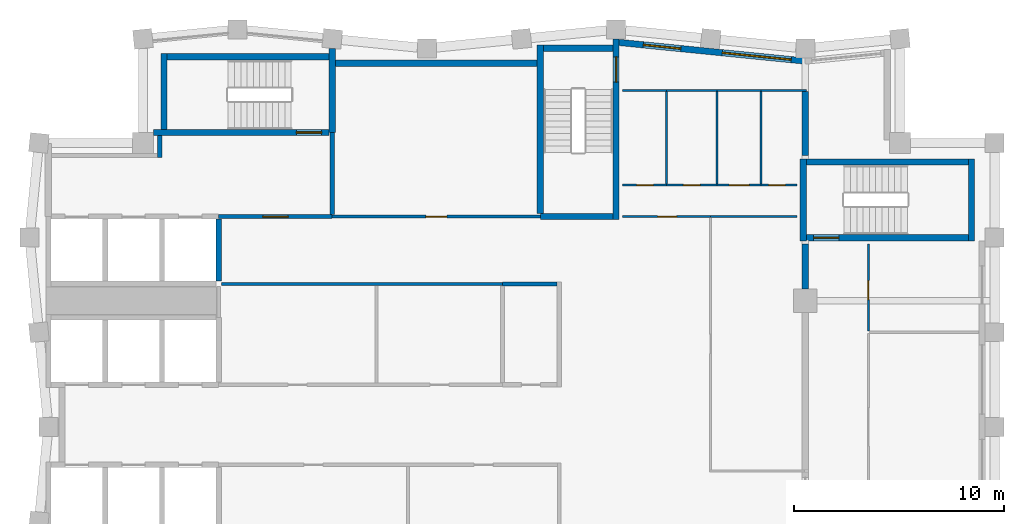
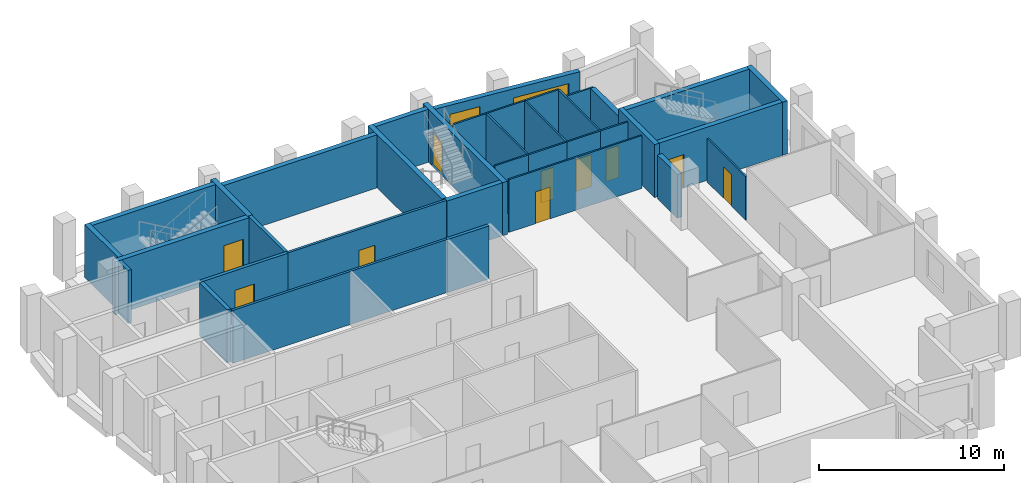
# One storey, part 5 of 7: 37 walls, 11 doors, 2 windows, 13 openings.
"""IFC4 building model written with IfcOpenShell, lengths in metres."""

from ifc_helpers import new_model, si_unit, direction, frame, frame_2d, origin, place, context, subcontext, project, spatial, rectangle, extrude, material, layer, layer_set, type_object, element, fill, save


model = new_model("IFC4")

# Units and contexts
model_context = context("Model", 3, precision=1e-05, world=origin(), true_north=direction((0.0, 1.0)))
body_context = subcontext(model_context, "Body", "Model", "MODEL_VIEW")
ifc_project = project(units=[si_unit("LENGTHUNIT", "METRE"), si_unit("AREAUNIT", "SQUARE_METRE"), si_unit("VOLUMEUNIT", "CUBIC_METRE"), si_unit("PLANEANGLEUNIT", "RADIAN"), si_unit("MASSUNIT", "GRAM", prefix="KILO")], contexts=[model_context])

# Site, building, storey
site_placement = place(None, origin())
site = spatial("IfcSite", under=ifc_project, at=site_placement, CompositionType="ELEMENT")
building_placement = place(site_placement, origin())
building = spatial("IfcBuilding", under=site, at=building_placement, Name="Brondeck Convention Tower", CompositionType="ELEMENT")
storey_placement = place(building_placement, frame((0.0, 0.0, 260.0)))
storey = spatial("IfcBuildingStorey", under=building, at=storey_placement, Name="L64", CompositionType="ELEMENT", Elevation=260.0)

# Walls
ifc_material_1 = material(Name="Concrete compartment wall C30/37", Category="concrete")
ifc_layer_1 = layer(ifc_material_1, 0.300048828125)
ifc_layer_set_1 = layer_set([ifc_layer_1], Name="Compartment wall 300")
wall_type_1 = type_object("IfcWallType", Name="Compartment wall 300", PredefinedType="PARTITIONING", material=ifc_layer_set_1)
wall_1_placement = place(storey_placement, frame((36.0, 51.554931640625, 0.0), z_axis=(0.0, 0.0, 1.0), x_axis=(0.0, 1.0, 0.0)))
element("IfcWall", 1, at=wall_1_placement, inside=storey, type_object=wall_type_1, Name="FLR-L64-W040", PredefinedType="PARTITIONING", context=body_context, shape_type="SweptSolid", body=[
    extrude(rectangle(XDim=2.14501953125, YDim=0.300048828125, at=frame_2d((1.072509765625, 0.0))), origin(), (0.0, 0.0, 1.0), 2.8798828125),
])
wall_2_placement = place(storey_placement, frame((36.0, 60.949951171875, 0.0), z_axis=(0.0, 0.0, 1.0), x_axis=(0.0, -1.0, 0.0)))
element("IfcWall", 2, at=wall_2_placement, inside=storey, type_object=wall_type_1, Name="FLR-L64-W052", PredefinedType="PARTITIONING", context=body_context, shape_type="SweptSolid", body=[
    extrude(rectangle(XDim=3.050048828125, YDim=0.300048828125, at=frame_2d((1.52490234375, 0.0))), origin(), (0.0, 0.0, 1.0), 2.8798828125),
])
ifc_material_2 = material(Name="Concrete C50/60", Category="concrete")
ifc_layer_2 = layer(ifc_material_2, 0.300048828125)
ifc_layer_set_2 = layer_set([ifc_layer_2], Name="Core outer wall 300 Concrete C50/60")
wall_type_2 = type_object("IfcWallType", Name="Core outer wall 300 Concrete C50/60", PredefinedType="SHEAR", material=ifc_layer_set_2)
wall_3_placement = place(storey_placement, frame((13.64990234375, 62.300048828125, 0.0), z_axis=(0.0, 0.0, 1.0), x_axis=(1.0, 0.0, 0.0)))
element("IfcWall", 3, at=wall_3_placement, inside=storey, type_object=wall_type_2, Name="L64 core wall", PredefinedType="SHEAR", context=body_context, shape_type="SweptSolid", body=[
    extrude(rectangle(XDim=9.60009765625, YDim=0.300048828125, at=frame_2d((4.800048828125, 0.0))), origin(), (0.0, 0.0, 1.0), 3.5),
])
ifc_material_3 = material(Name="Fire-rated gypsum board partition")
ifc_layer_3 = layer(ifc_material_3, 0.14990234375)
ifc_layer_set_3 = layer_set([ifc_layer_3], Name="Core partition 150 EI 60")
wall_type_3 = type_object("IfcWallType", Name="Core partition 150 EI 60", PredefinedType="PARTITIONING", material=ifc_layer_set_3)
wall_4_placement = place(storey_placement, frame((8.22509765625, 51.800048828125, 0.0), z_axis=(0.0, 0.0, 1.0), x_axis=(1.0, 0.0, 0.0)))
element("IfcWall", 4, at=wall_4_placement, inside=storey, type_object=wall_type_3, Name="L64 core wall", PredefinedType="PARTITIONING", context=body_context, shape_type="SweptSolid", body=[
    extrude(rectangle(XDim=13.375, YDim=0.14990234375, at=frame_2d((6.6875, 0.0))), origin(), (0.0, 0.0, 1.0), 3.5),
])

# Wall, opening, door
wall_5_placement = place(storey_placement, frame((13.5, 55.0, 0.0), z_axis=(0.0, 0.0, 1.0), x_axis=(1.0, 0.0, 0.0)))
wall_5 = element("IfcWall", 5, at=wall_5_placement, inside=storey, type_object=wall_type_3, Name="L64 core wall", PredefinedType="PARTITIONING", context=body_context, shape_type="SweptSolid", body=[
    extrude(rectangle(XDim=9.89990234375, YDim=0.14990234375, at=frame_2d((4.949951171875, 0.0))), origin(), (0.0, 0.0, 1.0), 3.5),
])
opening_1_placement = place(wall_5_placement, frame((4.449951171875, 0.0, 0.0)))
opening_1 = element("IfcOpeningElement", 6, at=opening_1_placement, cuts=wall_5, Name="Opening C36-11", PredefinedType="OPENING", context=body_context, shape_type="SweptSolid", body=[
    extrude(rectangle(XDim=1.0, YDim=2.10009765625, at=frame_2d((0.5, 1.050048828125))), frame((0.0, 0.0849609375, 0.0), z_axis=(0.0, -1.0, 0.0), x_axis=(1.0, 0.0, 0.0)), (0.0, 0.0, 1.0), 0.169921875),
])
ifc_material_4 = material(Name="Steel fire door", Category="steel")
door_type_1 = type_object("IfcDoorType", Name="Room door 1000x2100 EI 60", OperationType="NOTDEFINED", PredefinedType="DOOR", material=ifc_material_4)
door_1_placement = place(opening_1_placement, origin())
door_1 = element("IfcDoor", 7, at=door_1_placement, inside=storey, type_object=door_type_1, Name="L64 Room door NE-1", OperationType="SINGLE_SWING_LEFT", OverallHeight=2.10009765625, OverallWidth=1.0, PredefinedType="DOOR", context=body_context, shape_type="SweptSolid", body=[
    extrude(rectangle(XDim=1.0, YDim=2.10009765625, at=frame_2d((0.5, 1.050048828125))), frame((0.0, 0.02490234375, 0.0), z_axis=(0.0, -1.0, 0.0), x_axis=(1.0, 0.0, 0.0)), (0.0, 0.0, 1.0), 0.050048828125),
])
fill(opening_1, door_1)

# Wall, openings, windows
ifc_material_5 = material(Name="Precast concrete C50/60 bronze finish", Category="concrete")
ifc_layer_4 = layer(ifc_material_5, 0.070068359375, Name="Bronze precast facing")
ifc_material_6 = material(Name="Mineral wool")
ifc_layer_5 = layer(ifc_material_6, 0.159912109375, Name="Insulation")
ifc_material_7 = material(Name="Concrete C35/45", Category="concrete")
ifc_layer_6 = layer(ifc_material_7, 0.070068359375, Name="Backing")
ifc_layer_set_4 = layer_set([ifc_layer_4, ifc_layer_5, ifc_layer_6], Name="External infill wall, precast concrete C50/60 bronze facing")
wall_type_4 = type_object("IfcWallType", Name="External infill wall, precast concrete C50/60 bronze facing", PredefinedType="SOLIDWALL", material=ifc_layer_set_4)
wall_6_placement = place(storey_placement, frame((27.089599609375, 63.2880859375, 0.0), z_axis=(0.0, 0.0, 1.0), x_axis=(0.995035835913, -0.09951726106, 0.0)))
wall_6 = element("IfcWall", 8, at=wall_6_placement, inside=storey, type_object=wall_type_4, Name="ENV-EW-L64-P3-A-N-07", PredefinedType="SOLIDWALL", context=body_context, shape_type="SweptSolid", body=[
    extrude(rectangle(XDim=8.9248046875, YDim=0.300048828125, at=frame_2d((4.46240234375, 0.0))), origin(), (0.0, 0.0, 1.0), 3.14990234375),
])
opening_2_placement = place(wall_6_placement, frame((1.211181640625, 0.0, 0.75)))
opening_2 = element("IfcOpeningElement", 9, at=opening_2_placement, cuts=wall_6, Name="Opening W10", PredefinedType="OPENING", context=body_context, shape_type="SweptSolid", body=[
    extrude(rectangle(XDim=1.800048828125, YDim=1.800048828125, at=frame_2d((0.89990234375, 0.89990234375))), frame((0.0, 0.159912109375, 0.0), z_axis=(0.0, -1.0, 0.0), x_axis=(1.0, 0.0, 0.0)), (0.0, 0.0, 1.0), 0.320068359375),
])
opening_3_placement = place(wall_6_placement, frame((4.983642578125, 0.0, 0.14990234375)))
opening_3 = element("IfcOpeningElement", 10, at=opening_3_placement, cuts=wall_6, Name="Opening W9", PredefinedType="OPENING", context=body_context, shape_type="SweptSolid", body=[
    extrude(rectangle(XDim=3.300048828125, YDim=2.39990234375, at=frame_2d((1.64990234375, 1.199951171875))), frame((0.0, 0.159912109375, 0.0), z_axis=(0.0, -1.0, 0.0), x_axis=(1.0, 0.0, 0.0)), (0.0, 0.0, 1.0), 0.320068359375),
])
ifc_material_8 = material(Name="Bronze tinted double glazing", Category="glass")
window_type_1 = type_object("IfcWindowType", Name="Glazed flute window, bronze tinted", PartitioningType="SINGLE_PANEL", PredefinedType="WINDOW", material=ifc_material_8)
window_1_placement = place(opening_3_placement, origin())
window_1 = element("IfcWindow", 11, at=window_1_placement, inside=storey, type_object=window_type_1, Name="ENV-WN-L64-P3-A-N-07", OverallHeight=2.39990234375, OverallWidth=3.300048828125, PartitioningType="SINGLE_PANEL", PredefinedType="WINDOW", context=body_context, shape_type="SweptSolid", body=[
    extrude(rectangle(XDim=3.300048828125, YDim=2.39990234375, at=frame_2d((1.64990234375, 1.199951171875))), frame((0.0, 0.030029296875, 0.0), z_axis=(0.0, -1.0, 0.0), x_axis=(1.0, 0.0, 0.0)), (0.0, 0.0, 1.0), 0.06005859375),
])
fill(opening_3, window_1)
window_type_2 = type_object("IfcWindowType", Name="Punched window, bronze tinted", PartitioningType="SINGLE_PANEL", PredefinedType="WINDOW", material=ifc_material_8)
window_2_placement = place(opening_2_placement, origin())
window_2 = element("IfcWindow", 12, at=window_2_placement, inside=storey, type_object=window_type_2, Name="ENV-WN-L64-P3-A-N-06", OverallHeight=1.800048828125, OverallWidth=1.800048828125, PartitioningType="SINGLE_PANEL", PredefinedType="WINDOW", context=body_context, shape_type="SweptSolid", body=[
    extrude(rectangle(XDim=1.800048828125, YDim=1.800048828125, at=frame_2d((0.89990234375, 0.89990234375))), frame((0.0, 0.030029296875, 0.0), z_axis=(0.0, -1.0, 0.0), x_axis=(1.0, 0.0, 0.0)), (0.0, 0.0, 1.0), 0.06005859375),
])
fill(opening_2, window_2)

# Wall, opening, door
ifc_layer_7 = layer(ifc_material_3, 0.199951171875)
ifc_layer_set_5 = layer_set([ifc_layer_7], Name="Firefighting lobby wall 200 EI 120")
wall_type_5 = type_object("IfcWallType", Name="Firefighting lobby wall 200 EI 120", PredefinedType="PARTITIONING", material=ifc_layer_set_5)
wall_7_placement = place(storey_placement, frame((8.10009765625, 55.0, 0.0), z_axis=(0.0, 0.0, 1.0), x_axis=(1.0, 0.0, 0.0)))
wall_7 = element("IfcWall", 13, at=wall_7_placement, inside=storey, type_object=wall_type_5, Name="L64 core wall", PredefinedType="PARTITIONING", context=body_context, shape_type="SweptSolid", body=[
    extrude(rectangle(XDim=5.39990234375, YDim=0.199951171875, at=frame_2d((2.699951171875, 0.0))), origin(), (0.0, 0.0, 1.0), 3.5),
])
opening_4_placement = place(wall_7_placement, frame((2.10009765625, 0.0, 0.0)))
opening_4 = element("IfcOpeningElement", 14, at=opening_4_placement, cuts=wall_7, Name="Opening C36-01", PredefinedType="OPENING", context=body_context, shape_type="SweptSolid", body=[
    extrude(rectangle(XDim=1.199951171875, YDim=2.199951171875, at=frame_2d((0.60009765625, 1.10009765625))), frame((0.0, 0.10986328125, 0.0), z_axis=(0.0, -1.0, 0.0), x_axis=(1.0, 0.0, 0.0)), (0.0, 0.0, 1.0), 0.219970703125),
])
door_type_2 = type_object("IfcDoorType", Name="Firefighting lobby door 1200x2200 EI 120", OperationType="NOTDEFINED", PredefinedType="DOOR", material=ifc_material_4)
door_2_placement = place(opening_4_placement, origin())
door_2 = element("IfcDoor", 15, at=door_2_placement, inside=storey, type_object=door_type_2, Name="L64 Firefighting lobby door FFL-1", OperationType="SINGLE_SWING_RIGHT", OverallHeight=2.199951171875, OverallWidth=1.199951171875, PredefinedType="DOOR", context=body_context, shape_type="SweptSolid", body=[
    extrude(rectangle(XDim=1.199951171875, YDim=2.199951171875, at=frame_2d((0.60009765625, 1.10009765625))), frame((0.0, 0.02490234375, 0.0), z_axis=(0.0, -1.0, 0.0), x_axis=(1.0, 0.0, 0.0)), (0.0, 0.0, 1.0), 0.050048828125),
])
fill(opening_4, door_2)

# Walls
wall_8_placement = place(storey_placement, frame((5.300048828125, 57.800048828125, 0.0), z_axis=(0.0, 0.0, 1.0), x_axis=(0.0, 1.0, 0.0)))
element("IfcWall", 16, at=wall_8_placement, inside=storey, type_object=wall_type_5, Name="L64 core wall", PredefinedType="PARTITIONING", context=body_context, shape_type="SweptSolid", body=[
    extrude(rectangle(XDim=1.050048828125, YDim=0.199951171875, at=frame_2d((0.52490234375, 0.0))), origin(), (0.0, 0.0, 1.0), 3.5),
])
wall_9_placement = place(storey_placement, frame((13.5, 55.10009765625, 0.0), z_axis=(0.0, 0.0, 1.0), x_axis=(0.0, 1.0, 0.0)))
element("IfcWall", 17, at=wall_9_placement, inside=storey, type_object=wall_type_5, Name="L64 core wall", PredefinedType="PARTITIONING", context=body_context, shape_type="SweptSolid", body=[
    extrude(rectangle(XDim=3.89990234375, YDim=0.199951171875, at=frame_2d((1.949951171875, 0.0))), origin(), (0.0, 0.0, 1.0), 3.5),
])
ifc_layer_8 = layer(ifc_material_2, 0.25)
ifc_layer_set_6 = layer_set([ifc_layer_8], Name="Lift shaft wall 250 Concrete C50/60")
wall_type_6 = type_object("IfcWallType", Name="Lift shaft wall 250 Concrete C50/60", PredefinedType="SHEAR", material=ifc_layer_set_6)
wall_10_placement = place(storey_placement, frame((8.10009765625, 51.925048828125, 0.0), z_axis=(0.0, 0.0, 1.0), x_axis=(0.0, 1.0, 0.0)))
element("IfcWall", 18, at=wall_10_placement, inside=storey, type_object=wall_type_6, Name="L64 core wall", PredefinedType="SHEAR", context=body_context, shape_type="SweptSolid", body=[
    extrude(rectangle(XDim=2.949951171875, YDim=0.25, at=frame_2d((1.47509765625, 0.0))), origin(), (0.0, 0.0, 1.0), 3.5),
])
ifc_layer_9 = layer(ifc_material_3, 0.199951171875)
ifc_layer_set_7 = layer_set([ifc_layer_9], Name="Riser wall 200 EI 120")
wall_type_7 = type_object("IfcWallType", Name="Riser wall 200 EI 120", PredefinedType="PARTITIONING", material=ifc_layer_set_7)
wall_11_placement = place(storey_placement, frame((21.60009765625, 51.800048828125, 0.0), z_axis=(0.0, 0.0, 1.0), x_axis=(1.0, 0.0, 0.0)))
element("IfcWall", 19, at=wall_11_placement, inside=storey, type_object=wall_type_7, Name="L64 core wall", PredefinedType="PARTITIONING", context=body_context, shape_type="SweptSolid", body=[
    extrude(rectangle(XDim=2.599853515625, YDim=0.199951171875, at=frame_2d((1.2998046875, 0.0))), origin(), (0.0, 0.0, 1.0), 3.5),
])

# Wall, opening, door
ifc_material_9 = material(Name="Gypsum board partition on steel studs", Category="steel")
ifc_layer_10 = layer(ifc_material_9, 0.10009765625)
ifc_layer_set_8 = layer_set([ifc_layer_10], Name="Room partition 100")
wall_type_8 = type_object("IfcWallType", Name="Room partition 100", PredefinedType="PARTITIONING", material=ifc_layer_set_8)
wall_12_placement = place(storey_placement, frame((39.0, 53.699951171875, 0.0), z_axis=(0.0, 0.0, 1.0), x_axis=(0.0, -1.0, 0.0)))
wall_12 = element("IfcWall", 20, at=wall_12_placement, inside=storey, type_object=wall_type_8, Name="FLR-L64-W041", PredefinedType="PARTITIONING", context=body_context, shape_type="SweptSolid", body=[
    extrude(rectangle(XDim=4.14990234375, YDim=0.10009765625, at=frame_2d((2.074951171875, 0.0))), origin(), (0.0, 0.0, 1.0), 2.8798828125),
])
opening_5_placement = place(wall_12_placement, frame((1.75, 0.0, 0.0)))
opening_5 = element("IfcOpeningElement", 21, at=opening_5_placement, cuts=wall_12, Name="Opening EX-B-002", PredefinedType="OPENING", context=body_context, shape_type="SweptSolid", body=[
    extrude(rectangle(XDim=0.89990234375, YDim=2.10009765625, at=frame_2d((0.449951171875, 1.050048828125))), frame((0.0, 0.06005859375, 0.0), z_axis=(0.0, -1.0, 0.0), x_axis=(1.0, 0.0, 0.0)), (0.0, 0.0, 1.0), 0.1201171875),
])
ifc_material_10 = material(Name="Solid timber door leaf", Category="wood")
door_type_3 = type_object("IfcDoorType", Name="Single door 900", OperationType="NOTDEFINED", PredefinedType="DOOR", material=ifc_material_10)
door_3_placement = place(opening_5_placement, origin())
door_3 = element("IfcDoor", 22, at=door_3_placement, inside=storey, type_object=door_type_3, Name="Door EX-B-002", OperationType="SINGLE_SWING_LEFT", OverallHeight=2.10009765625, OverallWidth=0.89990234375, PredefinedType="DOOR", context=body_context, shape_type="SweptSolid", body=[
    extrude(rectangle(XDim=0.89990234375, YDim=2.10009765625, at=frame_2d((0.449951171875, 1.050048828125))), frame((0.0, 0.02490234375, 0.0), z_axis=(0.0, -1.0, 0.0), x_axis=(1.0, 0.0, 0.0)), (0.0, 0.0, 1.0), 0.050048828125),
])
fill(opening_5, door_3)

wall_13_placement = place(storey_placement, frame((27.300048828125, 55.0, 0.0), z_axis=(0.0, 0.0, 1.0), x_axis=(1.0, 0.0, 0.0)))
wall_13 = element("IfcWall", 23, at=wall_13_placement, inside=storey, type_object=wall_type_8, Name="FLR-L64-W043", PredefinedType="PARTITIONING", context=body_context, shape_type="SweptSolid", body=[
    extrude(rectangle(XDim=4.199951171875, YDim=0.10009765625, at=frame_2d((2.10009765625, 0.0))), origin(), (0.0, 0.0, 1.0), 3.47998046875),
])
opening_6_placement = place(wall_13_placement, frame((1.675048828125, 0.0, 0.0)))
opening_6 = element("IfcOpeningElement", 24, at=opening_6_placement, cuts=wall_13, Name="Opening EX-B-007", PredefinedType="OPENING", context=body_context, shape_type="SweptSolid", body=[
    extrude(rectangle(XDim=0.89990234375, YDim=2.10009765625, at=frame_2d((0.449951171875, 1.050048828125))), frame((0.0, 0.06005859375, 0.0), z_axis=(0.0, -1.0, 0.0), x_axis=(1.0, 0.0, 0.0)), (0.0, 0.0, 1.0), 0.1201171875),
])
door_4_placement = place(opening_6_placement, origin())
door_4 = element("IfcDoor", 25, at=door_4_placement, inside=storey, type_object=door_type_3, Name="Door EX-B-007", OperationType="SINGLE_SWING_LEFT", OverallHeight=2.10009765625, OverallWidth=0.89990234375, PredefinedType="DOOR", context=body_context, shape_type="SweptSolid", body=[
    extrude(rectangle(XDim=0.89990234375, YDim=2.10009765625, at=frame_2d((0.449951171875, 1.050048828125))), frame((0.0, 0.02490234375, 0.0), z_axis=(0.0, -1.0, 0.0), x_axis=(1.0, 0.0, 0.0)), (0.0, 0.0, 1.0), 0.050048828125),
])
fill(opening_6, door_4)

# Wall
wall_14_placement = place(storey_placement, frame((35.60009765625, 55.0, 0.0), z_axis=(0.0, 0.0, 1.0), x_axis=(-1.0, 0.0, 0.0)))
element("IfcWall", 26, at=wall_14_placement, inside=storey, type_object=wall_type_8, Name="FLR-L64-W044", PredefinedType="PARTITIONING", context=body_context, shape_type="SweptSolid", body=[
    extrude(rectangle(XDim=4.10009765625, YDim=0.10009765625, at=frame_2d((2.050048828125, 0.0))), origin(), (0.0, 0.0, 1.0), 3.47998046875),
])

# Wall, opening, door
wall_15_placement = place(storey_placement, frame((27.300048828125, 56.5, 0.0), z_axis=(0.0, 0.0, 1.0), x_axis=(1.0, 0.0, 0.0)))
wall_15 = element("IfcWall", 27, at=wall_15_placement, inside=storey, type_object=wall_type_8, Name="FLR-L64-W045", PredefinedType="PARTITIONING", context=body_context, shape_type="SweptSolid", body=[
    extrude(rectangle(XDim=2.099853515625, YDim=0.10009765625, at=frame_2d((1.0498046875, 0.0))), origin(), (0.0, 0.0, 1.0), 3.47998046875),
])
opening_7_placement = place(wall_15_placement, frame((0.675048828125, 0.0, 0.0)))
opening_7 = element("IfcOpeningElement", 28, at=opening_7_placement, cuts=wall_15, Name="Opening EX-B-008", PredefinedType="OPENING", context=body_context, shape_type="SweptSolid", body=[
    extrude(rectangle(XDim=0.800048828125, YDim=2.10009765625, at=frame_2d((0.39990234375, 1.050048828125))), frame((0.0, 0.06005859375, 0.0), z_axis=(0.0, -1.0, 0.0), x_axis=(1.0, 0.0, 0.0)), (0.0, 0.0, 1.0), 0.1201171875),
])
door_type_4 = type_object("IfcDoorType", Name="En-suite door 800", OperationType="NOTDEFINED", PredefinedType="DOOR", material=ifc_material_10)
door_5_placement = place(opening_7_placement, origin())
door_5 = element("IfcDoor", 29, at=door_5_placement, inside=storey, type_object=door_type_4, Name="Door EX-B-008", OperationType="SINGLE_SWING_LEFT", OverallHeight=2.10009765625, OverallWidth=0.800048828125, PredefinedType="DOOR", context=body_context, shape_type="SweptSolid", body=[
    extrude(rectangle(XDim=0.800048828125, YDim=2.10009765625, at=frame_2d((0.39990234375, 1.050048828125))), frame((0.0, 0.02490234375, 0.0), z_axis=(0.0, -1.0, 0.0), x_axis=(1.0, 0.0, 0.0)), (0.0, 0.0, 1.0), 0.050048828125),
])
fill(opening_7, door_5)

wall_16_placement = place(storey_placement, frame((29.39990234375, 56.5, 0.0), z_axis=(0.0, 0.0, 1.0), x_axis=(1.0, 0.0, 0.0)))
wall_16 = element("IfcWall", 30, at=wall_16_placement, inside=storey, type_object=wall_type_8, Name="FLR-L64-W046", PredefinedType="PARTITIONING", context=body_context, shape_type="SweptSolid", body=[
    extrude(rectangle(XDim=2.400146484375, YDim=0.10009765625, at=frame_2d((1.2001953125, 0.0))), origin(), (0.0, 0.0, 1.0), 3.47998046875),
])
opening_8_placement = place(wall_16_placement, frame((0.800048828125, 0.0, 0.0)))
opening_8 = element("IfcOpeningElement", 31, at=opening_8_placement, cuts=wall_16, Name="Opening EX-B-009", PredefinedType="OPENING", context=body_context, shape_type="SweptSolid", body=[
    extrude(rectangle(XDim=0.800048828125, YDim=2.10009765625, at=frame_2d((0.39990234375, 1.050048828125))), frame((0.0, 0.06005859375, 0.0), z_axis=(0.0, -1.0, 0.0), x_axis=(1.0, 0.0, 0.0)), (0.0, 0.0, 1.0), 0.1201171875),
])
door_6_placement = place(opening_8_placement, origin())
door_6 = element("IfcDoor", 32, at=door_6_placement, inside=storey, type_object=door_type_4, Name="Door EX-B-009", OperationType="SINGLE_SWING_RIGHT", OverallHeight=2.10009765625, OverallWidth=0.800048828125, PredefinedType="DOOR", context=body_context, shape_type="SweptSolid", body=[
    extrude(rectangle(XDim=0.800048828125, YDim=2.10009765625, at=frame_2d((0.39990234375, 1.050048828125))), frame((0.0, 0.02490234375, 0.0), z_axis=(0.0, -1.0, 0.0), x_axis=(1.0, 0.0, 0.0)), (0.0, 0.0, 1.0), 0.050048828125),
])
fill(opening_8, door_6)

wall_17_placement = place(storey_placement, frame((31.800048828125, 56.5, 0.0), z_axis=(0.0, 0.0, 1.0), x_axis=(1.0, 0.0, 0.0)))
wall_17 = element("IfcWall", 33, at=wall_17_placement, inside=storey, type_object=wall_type_8, Name="FLR-L64-W047", PredefinedType="PARTITIONING", context=body_context, shape_type="SweptSolid", body=[
    extrude(rectangle(XDim=2.099853515625, YDim=0.10009765625, at=frame_2d((1.0498046875, 0.0))), origin(), (0.0, 0.0, 1.0), 3.47998046875),
])
opening_9_placement = place(wall_17_placement, frame((0.574951171875, 0.0, 0.0)))
opening_9 = element("IfcOpeningElement", 34, at=opening_9_placement, cuts=wall_17, Name="Opening EX-B-010", PredefinedType="OPENING", context=body_context, shape_type="SweptSolid", body=[
    extrude(rectangle(XDim=0.949951171875, YDim=2.10009765625, at=frame_2d((0.47509765625, 1.050048828125))), frame((0.0, 0.06005859375, 0.0), z_axis=(0.0, -1.0, 0.0), x_axis=(1.0, 0.0, 0.0)), (0.0, 0.0, 1.0), 0.1201171875),
])
door_type_5 = type_object("IfcDoorType", Name="Accessible door 950", OperationType="NOTDEFINED", PredefinedType="DOOR", material=ifc_material_10)
door_7_placement = place(opening_9_placement, origin())
door_7 = element("IfcDoor", 35, at=door_7_placement, inside=storey, type_object=door_type_5, Name="Door EX-B-010", OperationType="SINGLE_SWING_LEFT", OverallHeight=2.10009765625, OverallWidth=0.949951171875, PredefinedType="DOOR", context=body_context, shape_type="SweptSolid", body=[
    extrude(rectangle(XDim=0.949951171875, YDim=2.10009765625, at=frame_2d((0.47509765625, 1.050048828125))), frame((0.0, 0.02490234375, 0.0), z_axis=(0.0, -1.0, 0.0), x_axis=(1.0, 0.0, 0.0)), (0.0, 0.0, 1.0), 0.050048828125),
])
fill(opening_9, door_7)

wall_18_placement = place(storey_placement, frame((33.89990234375, 56.5, 0.0), z_axis=(0.0, 0.0, 1.0), x_axis=(1.0, 0.0, 0.0)))
wall_18 = element("IfcWall", 36, at=wall_18_placement, inside=storey, type_object=wall_type_8, Name="FLR-L64-W048", PredefinedType="PARTITIONING", context=body_context, shape_type="SweptSolid", body=[
    extrude(rectangle(XDim=1.7001953125, YDim=0.10009765625, at=frame_2d((0.85009765625, 0.0))), origin(), (0.0, 0.0, 1.0), 3.47998046875),
])
opening_10_placement = place(wall_18_placement, frame((0.35009765625, 0.0, 0.0)))
opening_10 = element("IfcOpeningElement", 37, at=opening_10_placement, cuts=wall_18, Name="Opening EX-B-011", PredefinedType="OPENING", context=body_context, shape_type="SweptSolid", body=[
    extrude(rectangle(XDim=0.800048828125, YDim=2.10009765625, at=frame_2d((0.39990234375, 1.050048828125))), frame((0.0, 0.06005859375, 0.0), z_axis=(0.0, -1.0, 0.0), x_axis=(1.0, 0.0, 0.0)), (0.0, 0.0, 1.0), 0.1201171875),
])
ifc_material_11 = material(Name="Steel service door leaf", Category="steel")
door_type_6 = type_object("IfcDoorType", Name="Service door 800", OperationType="NOTDEFINED", PredefinedType="DOOR", material=ifc_material_11)
door_8_placement = place(opening_10_placement, origin())
door_8 = element("IfcDoor", 38, at=door_8_placement, inside=storey, type_object=door_type_6, Name="Door EX-B-011", OperationType="SINGLE_SWING_LEFT", OverallHeight=2.10009765625, OverallWidth=0.800048828125, PredefinedType="DOOR", context=body_context, shape_type="SweptSolid", body=[
    extrude(rectangle(XDim=0.800048828125, YDim=2.10009765625, at=frame_2d((0.39990234375, 1.050048828125))), frame((0.0, 0.02490234375, 0.0), z_axis=(0.0, -1.0, 0.0), x_axis=(1.0, 0.0, 0.0)), (0.0, 0.0, 1.0), 0.050048828125),
])
fill(opening_10, door_8)

# Walls
for number, where, z_axis, x_axis, name in (
    (39, (29.39990234375, 60.949951171875, 0.0), (0.0, 0.0, 1.0), (0.0, -1.0, 0.0), "FLR-L64-W049"),
    (40, (31.800048828125, 60.949951171875, 0.0), (0.0, 0.0, 1.0), (0.0, -1.0, 0.0), "FLR-L64-W050"),
    (41, (33.89990234375, 60.949951171875, 0.0), (0.0, 0.0, 1.0), (0.0, -1.0, 0.0), "FLR-L64-W051"),
):
    element("IfcWall", number, at=place(storey_placement, frame(where, z_axis=z_axis, x_axis=x_axis)), inside=storey, type_object=wall_type_8, Name=name, PredefinedType="PARTITIONING", context=body_context, shape_type="SweptSolid", body=[
        extrude(rectangle(XDim=4.39990234375, YDim=0.10009765625, at=frame_2d((2.199951171875, 0.0))), origin(), (0.0, 0.0, 1.0), 3.47998046875),
    ])
wall_19_placement = place(storey_placement, frame((27.300048828125, 61.0, 0.0), z_axis=(0.0, 0.0, 1.0), x_axis=(1.0, 0.0, 0.0)))
element("IfcWall", 42, at=wall_19_placement, inside=storey, type_object=wall_type_8, Name="FLR-L64-W053", PredefinedType="PARTITIONING", context=body_context, shape_type="SweptSolid", body=[
    extrude(rectangle(XDim=2.099853515625, YDim=0.10009765625, at=frame_2d((1.0498046875, 0.0))), origin(), (0.0, 0.0, 1.0), 3.47998046875),
])
wall_20_placement = place(storey_placement, frame((29.39990234375, 61.0, 0.0), z_axis=(0.0, 0.0, 1.0), x_axis=(1.0, 0.0, 0.0)))
element("IfcWall", 43, at=wall_20_placement, inside=storey, type_object=wall_type_8, Name="FLR-L64-W054", PredefinedType="PARTITIONING", context=body_context, shape_type="SweptSolid", body=[
    extrude(rectangle(XDim=2.400146484375, YDim=0.10009765625, at=frame_2d((1.2001953125, 0.0))), origin(), (0.0, 0.0, 1.0), 3.47998046875),
])
wall_21_placement = place(storey_placement, frame((31.800048828125, 61.0, 0.0), z_axis=(0.0, 0.0, 1.0), x_axis=(1.0, 0.0, 0.0)))
element("IfcWall", 44, at=wall_21_placement, inside=storey, type_object=wall_type_8, Name="FLR-L64-W055", PredefinedType="PARTITIONING", context=body_context, shape_type="SweptSolid", body=[
    extrude(rectangle(XDim=2.099853515625, YDim=0.10009765625, at=frame_2d((1.0498046875, 0.0))), origin(), (0.0, 0.0, 1.0), 3.47998046875),
])
wall_22_placement = place(storey_placement, frame((33.89990234375, 61.0, 0.0), z_axis=(0.0, 0.0, 1.0), x_axis=(1.0, 0.0, 0.0)))
element("IfcWall", 45, at=wall_22_placement, inside=storey, type_object=wall_type_8, Name="FLR-L64-W056", PredefinedType="PARTITIONING", context=body_context, shape_type="SweptSolid", body=[
    extrude(rectangle(XDim=2.150146484375, YDim=0.10009765625, at=frame_2d((1.0751953125, 0.0))), origin(), (0.0, 0.0, 1.0), 2.8798828125),
])

# Wall, opening, door
ifc_layer_11 = layer(ifc_material_2, 0.300048828125)
ifc_layer_set_9 = layer_set([ifc_layer_11], Name="Stair enclosure wall 300 Concrete C50/60")
wall_type_9 = type_object("IfcWallType", Name="Stair enclosure wall 300 Concrete C50/60", PredefinedType="SHEAR", material=ifc_layer_set_9)
wall_23_placement = place(storey_placement, frame((36.050048828125, 54.0, 0.0), z_axis=(0.0, 0.0, 1.0), x_axis=(1.0, 0.0, 0.0)))
wall_23 = element("IfcWall", 46, at=wall_23_placement, inside=storey, type_object=wall_type_9, Name="L64 core wall", PredefinedType="SHEAR", context=body_context, shape_type="SweptSolid", body=[
    extrude(rectangle(XDim=7.699951171875, YDim=0.300048828125, at=frame_2d((3.85009765625, 0.0))), origin(), (0.0, 0.0, 1.0), 3.5),
])
opening_11_placement = place(wall_23_placement, frame((0.35009765625, 0.0, 0.0)))
opening_11 = element("IfcOpeningElement", 47, at=opening_11_placement, cuts=wall_23, Name="Opening C36-15", PredefinedType="OPENING", context=body_context, shape_type="SweptSolid", body=[
    extrude(rectangle(XDim=1.199951171875, YDim=2.199951171875, at=frame_2d((0.60009765625, 1.10009765625))), frame((0.0, 0.159912109375, 0.0), z_axis=(0.0, -1.0, 0.0), x_axis=(1.0, 0.0, 0.0)), (0.0, 0.0, 1.0), 0.320068359375),
])
door_type_7 = type_object("IfcDoorType", Name="Stair door 1200x2200 EI 90", OperationType="NOTDEFINED", PredefinedType="DOOR", material=ifc_material_4)
door_9_placement = place(opening_11_placement, origin())
door_9 = element("IfcDoor", 48, at=door_9_placement, inside=storey, type_object=door_type_7, Name="L64 Stair door ST-AE", OperationType="SINGLE_SWING_LEFT", OverallHeight=2.199951171875, OverallWidth=1.199951171875, PredefinedType="DOOR", context=body_context, shape_type="SweptSolid", body=[
    extrude(rectangle(XDim=1.199951171875, YDim=2.199951171875, at=frame_2d((0.60009765625, 1.10009765625))), frame((0.0, 0.02490234375, 0.0), z_axis=(0.0, -1.0, 0.0), x_axis=(1.0, 0.0, 0.0)), (0.0, 0.0, 1.0), 0.050048828125),
])
fill(opening_11, door_9)

# Walls
wall_24_placement = place(storey_placement, frame((23.39990234375, 55.0, 0.0), z_axis=(0.0, 0.0, 1.0), x_axis=(1.0, 0.0, 0.0)))
element("IfcWall", 49, at=wall_24_placement, inside=storey, type_object=wall_type_9, Name="L64 core wall", PredefinedType="SHEAR", context=body_context, shape_type="SweptSolid", body=[
    extrude(rectangle(XDim=3.4501953125, YDim=0.300048828125, at=frame_2d((1.72509765625, 0.0))), origin(), (0.0, 0.0, 1.0), 3.5),
])
wall_25_placement = place(storey_placement, frame((36.050048828125, 57.60009765625, 0.0), z_axis=(0.0, 0.0, 1.0), x_axis=(1.0, 0.0, 0.0)))
element("IfcWall", 50, at=wall_25_placement, inside=storey, type_object=wall_type_9, Name="L64 core wall", PredefinedType="SHEAR", context=body_context, shape_type="SweptSolid", body=[
    extrude(rectangle(XDim=7.699951171875, YDim=0.300048828125, at=frame_2d((3.85009765625, 0.0))), origin(), (0.0, 0.0, 1.0), 3.5),
])

# Wall, opening, door
wall_26_placement = place(storey_placement, frame((5.0, 59.0, 0.0), z_axis=(0.0, 0.0, 1.0), x_axis=(1.0, 0.0, 0.0)))
wall_26 = element("IfcWall", 51, at=wall_26_placement, inside=storey, type_object=wall_type_9, Name="L64 core wall", PredefinedType="SHEAR", context=body_context, shape_type="SweptSolid", body=[
    extrude(rectangle(XDim=8.35009765625, YDim=0.300048828125, at=frame_2d((4.175048828125, 0.0))), origin(), (0.0, 0.0, 1.0), 3.5),
])
opening_12_placement = place(wall_26_placement, frame((6.800048828125, 0.0, 0.0)))
opening_12 = element("IfcOpeningElement", 52, at=opening_12_placement, cuts=wall_26, Name="Opening C36-14", PredefinedType="OPENING", context=body_context, shape_type="SweptSolid", body=[
    extrude(rectangle(XDim=1.199951171875, YDim=2.199951171875, at=frame_2d((0.60009765625, 1.10009765625))), frame((0.0, 0.159912109375, 0.0), z_axis=(0.0, -1.0, 0.0), x_axis=(1.0, 0.0, 0.0)), (0.0, 0.0, 1.0), 0.320068359375),
])
door_type_8 = type_object("IfcDoorType", Name="Stair door 1200x2200 EI 120", OperationType="NOTDEFINED", PredefinedType="DOOR", material=ifc_material_4)
door_10_placement = place(opening_12_placement, origin())
door_10 = element("IfcDoor", 53, at=door_10_placement, inside=storey, type_object=door_type_8, Name="L64 Stair door ST-3", OperationType="SINGLE_SWING_RIGHT", OverallHeight=2.199951171875, OverallWidth=1.199951171875, PredefinedType="DOOR", context=body_context, shape_type="SweptSolid", body=[
    extrude(rectangle(XDim=1.199951171875, YDim=2.199951171875, at=frame_2d((0.60009765625, 1.10009765625))), frame((0.0, 0.02490234375, 0.0), z_axis=(0.0, -1.0, 0.0), x_axis=(1.0, 0.0, 0.0)), (0.0, 0.0, 1.0), 0.050048828125),
])
fill(opening_12, door_10)

# Walls
wall_27_placement = place(storey_placement, frame((5.64990234375, 62.60009765625, 0.0), z_axis=(0.0, 0.0, 1.0), x_axis=(1.0, 0.0, 0.0)))
element("IfcWall", 54, at=wall_27_placement, inside=storey, type_object=wall_type_9, Name="L64 core wall", PredefinedType="SHEAR", context=body_context, shape_type="SweptSolid", body=[
    extrude(rectangle(XDim=7.7001953125, YDim=0.300048828125, at=frame_2d((3.85009765625, 0.0))), origin(), (0.0, 0.0, 1.0), 3.5),
])
wall_28_placement = place(storey_placement, frame((23.550048828125, 63.0, 0.0), z_axis=(0.0, 0.0, 1.0), x_axis=(1.0, 0.0, 0.0)))
element("IfcWall", 55, at=wall_28_placement, inside=storey, type_object=wall_type_9, Name="L64 core wall", PredefinedType="SHEAR", context=body_context, shape_type="SweptSolid", body=[
    extrude(rectangle(XDim=3.300048828125, YDim=0.300048828125, at=frame_2d((1.64990234375, 0.0))), origin(), (0.0, 0.0, 1.0), 3.5),
])
wall_29_placement = place(storey_placement, frame((5.5, 59.14990234375, 0.0), z_axis=(0.0, 0.0, 1.0), x_axis=(0.0, 1.0, 0.0)))
element("IfcWall", 56, at=wall_29_placement, inside=storey, type_object=wall_type_9, Name="L64 core wall", PredefinedType="SHEAR", context=body_context, shape_type="SweptSolid", body=[
    extrude(rectangle(XDim=3.60009765625, YDim=0.300048828125, at=frame_2d((1.800048828125, 0.0))), origin(), (0.0, 0.0, 1.0), 3.5),
])
wall_30_placement = place(storey_placement, frame((13.5, 59.0, 0.0), z_axis=(0.0, 0.0, 1.0), x_axis=(0.0, 1.0, 0.0)))
element("IfcWall", 57, at=wall_30_placement, inside=storey, type_object=wall_type_9, Name="L64 core wall", PredefinedType="SHEAR", context=body_context, shape_type="SweptSolid", body=[
    extrude(rectangle(XDim=3.997802734375, YDim=0.300048828125, at=frame_2d((1.9990234375, 0.0))), origin(), (0.0, 0.0, 1.0), 3.5),
])
wall_31_placement = place(storey_placement, frame((23.39990234375, 55.14990234375, 0.0), z_axis=(0.0, 0.0, 1.0), x_axis=(0.0, 1.0, 0.0)))
element("IfcWall", 58, at=wall_31_placement, inside=storey, type_object=wall_type_9, Name="L64 core wall", PredefinedType="SHEAR", context=body_context, shape_type="SweptSolid", body=[
    extrude(rectangle(XDim=8.0, YDim=0.300048828125, at=frame_2d((4.0, 0.0))), origin(), (0.0, 0.0, 1.0), 3.5),
])

# Wall, opening, door
wall_32_placement = place(storey_placement, frame((27.0, 54.85009765625, 0.0), z_axis=(0.0, 0.0, 1.0), x_axis=(0.0, 1.0, 0.0)))
wall_32 = element("IfcWall", 59, at=wall_32_placement, inside=storey, type_object=wall_type_9, Name="L64 core wall", PredefinedType="SHEAR", context=body_context, shape_type="SweptSolid", body=[
    extrude(rectangle(XDim=8.599853515625, YDim=0.300048828125, at=frame_2d((4.2998046875, 0.0))), origin(), (0.0, 0.0, 1.0), 3.5),
])
opening_13_placement = place(wall_32_placement, frame((6.550048828125, 0.0, 0.0)))
opening_13 = element("IfcOpeningElement", 60, at=opening_13_placement, cuts=wall_32, Name="Opening C36-13", PredefinedType="OPENING", context=body_context, shape_type="SweptSolid", body=[
    extrude(rectangle(XDim=1.199951171875, YDim=2.199951171875, at=frame_2d((0.60009765625, 1.10009765625))), frame((0.0, 0.159912109375, 0.0), z_axis=(0.0, -1.0, 0.0), x_axis=(1.0, 0.0, 0.0)), (0.0, 0.0, 1.0), 0.320068359375),
])
door_11_placement = place(opening_13_placement, origin())
door_11 = element("IfcDoor", 61, at=door_11_placement, inside=storey, type_object=door_type_7, Name="L64 Stair door ST-2", OperationType="SINGLE_SWING_LEFT", OverallHeight=2.199951171875, OverallWidth=1.199951171875, PredefinedType="DOOR", context=body_context, shape_type="SweptSolid", body=[
    extrude(rectangle(XDim=1.199951171875, YDim=2.199951171875, at=frame_2d((0.60009765625, 1.10009765625))), frame((0.0, 0.02490234375, 0.0), z_axis=(0.0, -1.0, 0.0), x_axis=(1.0, 0.0, 0.0)), (0.0, 0.0, 1.0), 0.050048828125),
])
fill(opening_13, door_11)

# Walls
for number, where, z_axis, x_axis, name in (
    (62, (35.89990234375, 53.85009765625, 0.0), (0.0, 0.0, 1.0), (0.0, 1.0, 0.0), "L64 core wall"),
    (63, (43.89990234375, 53.85009765625, 0.0), (0.0, 0.0, 1.0), (0.0, 1.0, 0.0), "L64 core wall"),
):
    element("IfcWall", number, at=place(storey_placement, frame(where, z_axis=z_axis, x_axis=x_axis)), inside=storey, type_object=wall_type_9, Name=name, PredefinedType="SHEAR", context=body_context, shape_type="SweptSolid", body=[
        extrude(rectangle(XDim=3.89990234375, YDim=0.300048828125, at=frame_2d((1.949951171875, 0.0))), origin(), (0.0, 0.0, 1.0), 3.5),
    ])

save(model, "model.ifc")
